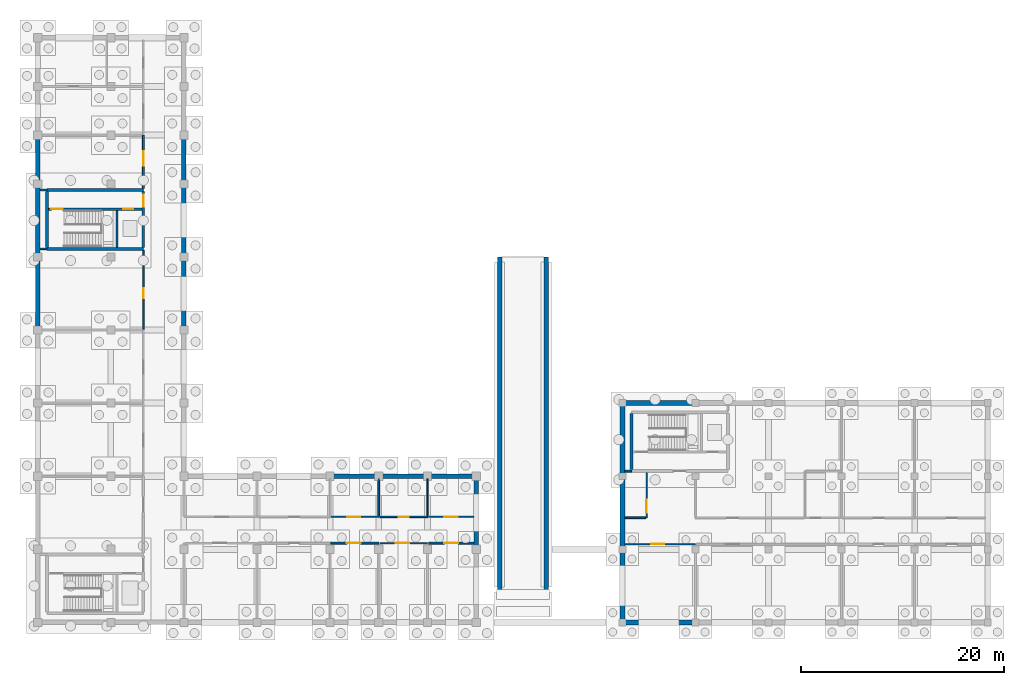
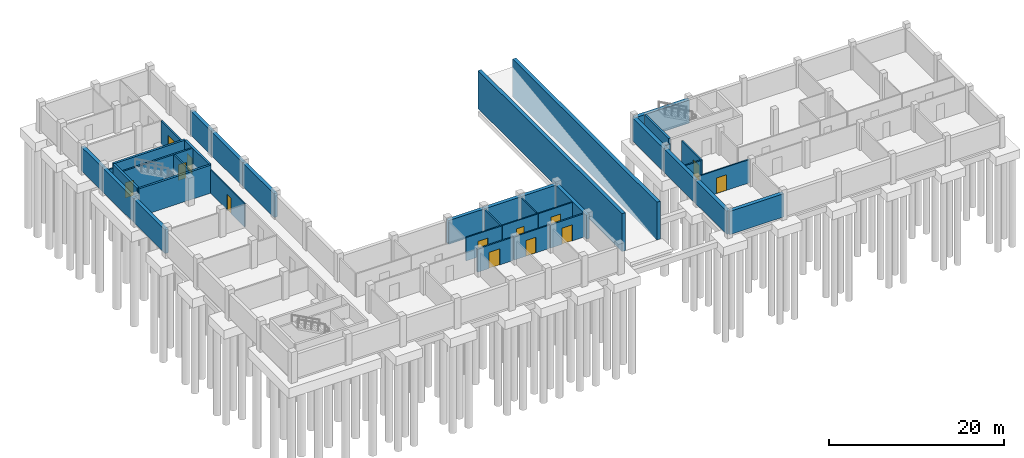
# One storey, part 5 of 10: 40 walls, 13 doors, 13 openings.
"""IFC4 building model written with IfcOpenShell, lengths in metres."""

from ifc_helpers import new_model, si_unit, direction, frame, frame_2d, origin, place, context, subcontext, project, spatial, rectangle, extrude, material, layer, layer_set, type_object, element, fill, save


model = new_model("IFC4")

# Units and contexts
model_context = context("Model", 3, precision=1e-05, world=origin(), true_north=direction((0.0, 1.0)))
body_context = subcontext(model_context, "Body", "Model", "MODEL_VIEW")
ifc_project = project(units=[si_unit("LENGTHUNIT", "METRE"), si_unit("AREAUNIT", "SQUARE_METRE"), si_unit("VOLUMEUNIT", "CUBIC_METRE"), si_unit("PLANEANGLEUNIT", "RADIAN"), si_unit("MASSUNIT", "GRAM", prefix="KILO")], contexts=[model_context])

# Site, building, storey
site_placement = place(None, origin())
site = spatial("IfcSite", under=ifc_project, at=site_placement, CompositionType="ELEMENT")
building_placement = place(site_placement, origin())
building = spatial("IfcBuilding", under=site, at=building_placement, Name="Zornivar Specialist Clinic", CompositionType="ELEMENT")
storey_placement = place(building_placement, frame((0.0, 0.0, -4.199951171875)))
storey = spatial("IfcBuildingStorey", under=building, at=storey_placement, Name="B1", CompositionType="ELEMENT", Elevation=-4.199951171875)

# Walls
ifc_material_1 = material(Name="Acoustic Clinical Stud Partition")
ifc_layer_1 = layer(ifc_material_1, 0.139892578125)
ifc_layer_set_1 = layer_set([ifc_layer_1], Name="Acoustic Clinical Stud Partition")
wall_type_1 = type_object("IfcWallType", Name="IW-CLIN-140", PredefinedType="PARTITIONING", material=ifc_layer_set_1)
wall_1_placement = place(storey_placement, frame((0.239990234375, 36.800048828125, 0.0), z_axis=(0.0, 0.0, 1.0), x_axis=(1.0, 0.0, 0.0)))
element("IfcWall", 1, at=wall_1_placement, inside=storey, type_object=wall_type_1, Name="iw:B1:010", PredefinedType="PARTITIONING", context=body_context, shape_type="SweptSolid", body=[
    extrude(rectangle(XDim=0.659912109375, YDim=0.139892578125, at=frame_2d((0.330078125, 0.0))), origin(), (0.0, 0.0, 1.0), 3.260009765625),
])
wall_2_placement = place(storey_placement, frame((38.39990234375, 14.159912109375, 0.0), z_axis=(0.0, 0.0, 1.0), x_axis=(0.0, -1.0, 0.0)))
element("IfcWall", 2, at=wall_2_placement, inside=storey, type_object=wall_type_1, Name="iw:B1:036", PredefinedType="PARTITIONING", context=body_context, shape_type="SweptSolid", body=[
    extrude(rectangle(XDim=3.666015625, YDim=0.139892578125, at=frame_2d((1.8330078125, 0.0))), origin(), (0.0, 0.0, 1.0), 3.260009765625),
])

# Wall, opening, door
ifc_material_2 = material(Name="Fire-Compartment Shaft-Liner Partition")
ifc_layer_2 = layer(ifc_material_2, 0.179931640625)
ifc_layer_set_2 = layer_set([ifc_layer_2], Name="Fire-Compartment Shaft-Liner Partition")
wall_type_2 = type_object("IfcWallType", Name="IW-COMP-EI90-180", PredefinedType="PARTITIONING", material=ifc_layer_set_2)
wall_3_placement = place(storey_placement, frame((33.60009765625, 10.39990234375, 0.0), z_axis=(0.0, 0.0, 1.0), x_axis=(-1.0, 0.0, 0.0)))
wall_3 = element("IfcWall", 3, at=wall_3_placement, inside=storey, type_object=wall_type_2, Name="iw:B1:031", PredefinedType="PARTITIONING", context=body_context, shape_type="SweptSolid", body=[
    extrude(rectangle(XDim=4.716064453125, YDim=0.179931640625, at=frame_2d((2.35791015625, 0.0))), origin(), (0.0, 0.0, 1.0), 3.260009765625),
])
opening_1_placement = place(wall_3_placement, frame((1.820068359375, 0.0, 0.0)))
opening_1 = element("IfcOpeningElement", 4, at=opening_1_placement, cuts=wall_3, Name="Opening FD-05", PredefinedType="OPENING", context=body_context, shape_type="SweptSolid", body=[
    extrude(rectangle(XDim=1.300048828125, YDim=2.199951171875, at=frame_2d((0.64990234375, 1.10009765625))), frame((0.0, 0.099853515625, 0.0), z_axis=(0.0, -1.0, 0.0), x_axis=(1.0, 0.0, 0.0)), (0.0, 0.0, 1.0), 0.199951171875),
])
ifc_material_3 = material(Name="Solid-Core Hygienic Laminate Timber Door", Category="wood")
door_type_1 = type_object("IfcDoorType", Name="FD-PLANT-1300x2200", OperationType="NOTDEFINED", PredefinedType="DOOR", material=ifc_material_3)
door_1_placement = place(opening_1_placement, origin())
door_1 = element("IfcDoor", 5, at=door_1_placement, inside=storey, type_object=door_type_1, Name="door:space:V2:B1:rm:13", OperationType="SINGLE_SWING_LEFT", OverallHeight=2.199951171875, OverallWidth=1.300048828125, PredefinedType="DOOR", context=body_context, shape_type="SweptSolid", body=[
    extrude(rectangle(XDim=1.300048828125, YDim=2.199951171875, at=frame_2d((0.64990234375, 1.10009765625))), frame((0.0, 0.02490234375, 0.0), z_axis=(0.0, -1.0, 0.0), x_axis=(1.0, 0.0, 0.0)), (0.0, 0.0, 1.0), 0.050048828125),
])
fill(opening_1, door_1)

# Wall
wall_4_placement = place(storey_placement, frame((33.60009765625, 14.159912109375, 0.0), z_axis=(0.0, 0.0, 1.0), x_axis=(0.0, -1.0, 0.0)))
element("IfcWall", 6, at=wall_4_placement, inside=storey, type_object=wall_type_2, Name="iw:B1:032", PredefinedType="PARTITIONING", context=body_context, shape_type="SweptSolid", body=[
    extrude(rectangle(XDim=3.656005859375, YDim=0.179931640625, at=frame_2d((1.828125, 0.0))), origin(), (0.0, 0.0, 1.0), 3.260009765625),
])

# Wall, opening, door
wall_5_placement = place(storey_placement, frame((33.708984375, 7.800048828125, 0.0), z_axis=(0.0, 0.0, 1.0), x_axis=(1.0, 0.0, 0.0)))
wall_5 = element("IfcWall", 7, at=wall_5_placement, inside=storey, type_object=wall_type_2, Name="iw:B1:033", PredefinedType="PARTITIONING", context=body_context, shape_type="SweptSolid", body=[
    extrude(rectangle(XDim=4.69091796875, YDim=0.179931640625, at=frame_2d((2.345458984375, 0.0))), origin(), (0.0, 0.0, 1.0), 3.260009765625),
])
opening_2_placement = place(wall_5_placement, frame((1.5849609375, 0.0, 0.0)))
opening_2 = element("IfcOpeningElement", 8, at=opening_2_placement, cuts=wall_5, Name="Opening FD-05", PredefinedType="OPENING", context=body_context, shape_type="SweptSolid", body=[
    extrude(rectangle(XDim=1.300048828125, YDim=2.199951171875, at=frame_2d((0.64990234375, 1.10009765625))), frame((0.0, 0.099853515625, 0.0), z_axis=(0.0, -1.0, 0.0), x_axis=(1.0, 0.0, 0.0)), (0.0, 0.0, 1.0), 0.199951171875),
])
door_2_placement = place(opening_2_placement, origin())
door_2 = element("IfcDoor", 9, at=door_2_placement, inside=storey, type_object=door_type_1, Name="door:space:V2:B1:rm:14", OperationType="SINGLE_SWING_RIGHT", OverallHeight=2.199951171875, OverallWidth=1.300048828125, PredefinedType="DOOR", context=body_context, shape_type="SweptSolid", body=[
    extrude(rectangle(XDim=1.300048828125, YDim=2.199951171875, at=frame_2d((0.64990234375, 1.10009765625))), frame((0.0, 0.02490234375, 0.0), z_axis=(0.0, -1.0, 0.0), x_axis=(1.0, 0.0, 0.0)), (0.0, 0.0, 1.0), 0.050048828125),
])
fill(opening_2, door_2)

wall_6_placement = place(storey_placement, frame((42.9599609375, 10.39990234375, 0.0), z_axis=(0.0, 0.0, 1.0), x_axis=(-1.0, 0.0, 0.0)))
wall_6 = element("IfcWall", 10, at=wall_6_placement, inside=storey, type_object=wall_type_2, Name="iw:B1:038", PredefinedType="PARTITIONING", context=body_context, shape_type="SweptSolid", body=[
    extrude(rectangle(XDim=4.47607421875, YDim=0.179931640625, at=frame_2d((2.238037109375, 0.0))), origin(), (0.0, 0.0, 1.0), 3.260009765625),
])
opening_3_placement = place(wall_6_placement, frame((1.587890625, 0.0, 0.0)))
opening_3 = element("IfcOpeningElement", 11, at=opening_3_placement, cuts=wall_6, Name="Opening FD-05", PredefinedType="OPENING", context=body_context, shape_type="SweptSolid", body=[
    extrude(rectangle(XDim=1.300048828125, YDim=2.199951171875, at=frame_2d((0.64990234375, 1.10009765625))), frame((0.0, 0.099853515625, 0.0), z_axis=(0.0, -1.0, 0.0), x_axis=(1.0, 0.0, 0.0)), (0.0, 0.0, 1.0), 0.199951171875),
])
door_3_placement = place(opening_3_placement, origin())
door_3 = element("IfcDoor", 12, at=door_3_placement, inside=storey, type_object=door_type_1, Name="door:space:V2:B1:rm:17", OperationType="SINGLE_SWING_LEFT", OverallHeight=2.199951171875, OverallWidth=1.300048828125, PredefinedType="DOOR", context=body_context, shape_type="SweptSolid", body=[
    extrude(rectangle(XDim=1.300048828125, YDim=2.199951171875, at=frame_2d((0.64990234375, 1.10009765625))), frame((0.0, 0.02490234375, 0.0), z_axis=(0.0, -1.0, 0.0), x_axis=(1.0, 0.0, 0.0)), (0.0, 0.0, 1.0), 0.050048828125),
])
fill(opening_3, door_3)

wall_7_placement = place(storey_placement, frame((57.85498046875, 7.699951171875, 0.0), z_axis=(0.0, 0.0, 1.0), x_axis=(1.0, 0.0, 0.0)))
wall_7 = element("IfcWall", 13, at=wall_7_placement, inside=storey, type_object=wall_type_2, Name="iw:B1:039", PredefinedType="PARTITIONING", context=body_context, shape_type="SweptSolid", body=[
    extrude(rectangle(XDim=6.945068359375, YDim=0.179931640625, at=frame_2d((3.47265625, 0.0))), origin(), (0.0, 0.0, 1.0), 3.260009765625),
])
opening_4_placement = place(wall_7_placement, frame((2.587890625, 0.0, 0.0)))
opening_4 = element("IfcOpeningElement", 14, at=opening_4_placement, cuts=wall_7, Name="Opening FD-05", PredefinedType="OPENING", context=body_context, shape_type="SweptSolid", body=[
    extrude(rectangle(XDim=1.300048828125, YDim=2.199951171875, at=frame_2d((0.64990234375, 1.10009765625))), frame((0.0, 0.099853515625, 0.0), z_axis=(0.0, -1.0, 0.0), x_axis=(1.0, 0.0, 0.0)), (0.0, 0.0, 1.0), 0.199951171875),
])
door_4_placement = place(opening_4_placement, origin())
door_4 = element("IfcDoor", 15, at=door_4_placement, inside=storey, type_object=door_type_1, Name="door:space:V3:B1:rm:00", OperationType="SINGLE_SWING_RIGHT", OverallHeight=2.199951171875, OverallWidth=1.300048828125, PredefinedType="DOOR", context=body_context, shape_type="SweptSolid", body=[
    extrude(rectangle(XDim=1.300048828125, YDim=2.199951171875, at=frame_2d((0.64990234375, 1.10009765625))), frame((0.0, 0.02490234375, 0.0), z_axis=(0.0, -1.0, 0.0), x_axis=(1.0, 0.0, 0.0)), (0.0, 0.0, 1.0), 0.050048828125),
])
fill(opening_4, door_4)

# Wall
wall_8_placement = place(storey_placement, frame((57.85498046875, 14.89990234375, 0.0), z_axis=(0.0, 0.0, 1.0), x_axis=(1.0, 0.0, 0.0)))
element("IfcWall", 16, at=wall_8_placement, inside=storey, type_object=wall_type_2, Name="iw:B1:041", PredefinedType="PARTITIONING", context=body_context, shape_type="SweptSolid", body=[
    extrude(rectangle(XDim=0.64501953125, YDim=0.179931640625, at=frame_2d((0.322509765625, 0.0))), origin(), (0.0, 0.0, 1.0), 3.260009765625),
])

# Wall, opening, door
wall_9_placement = place(storey_placement, frame((60.0, 14.7451171875, 0.0), z_axis=(0.0, 0.0, 1.0), x_axis=(0.0, -1.0, 0.0)))
wall_9 = element("IfcWall", 17, at=wall_9_placement, inside=storey, type_object=wall_type_2, Name="iw:B1:042", PredefinedType="PARTITIONING", context=body_context, shape_type="SweptSolid", body=[
    extrude(rectangle(XDim=4.445068359375, YDim=0.179931640625, at=frame_2d((2.22265625, 0.0))), origin(), (0.0, 0.0, 1.0), 3.260009765625),
])
opening_5_placement = place(wall_9_placement, frame((2.6650390625, 0.0, 0.0)))
opening_5 = element("IfcOpeningElement", 18, at=opening_5_placement, cuts=wall_9, Name="Opening FD-05", PredefinedType="OPENING", context=body_context, shape_type="SweptSolid", body=[
    extrude(rectangle(XDim=1.300048828125, YDim=2.199951171875, at=frame_2d((0.64990234375, 1.10009765625))), frame((0.0, 0.099853515625, 0.0), z_axis=(0.0, -1.0, 0.0), x_axis=(1.0, 0.0, 0.0)), (0.0, 0.0, 1.0), 0.199951171875),
])
door_5_placement = place(opening_5_placement, origin())
door_5 = element("IfcDoor", 19, at=door_5_placement, inside=storey, type_object=door_type_1, Name="door:space:V3:B1:rm:01", OperationType="SINGLE_SWING_LEFT", OverallHeight=2.199951171875, OverallWidth=1.300048828125, PredefinedType="DOOR", context=body_context, shape_type="SweptSolid", body=[
    extrude(rectangle(XDim=1.300048828125, YDim=2.199951171875, at=frame_2d((0.64990234375, 1.10009765625))), frame((0.0, 0.02490234375, 0.0), z_axis=(0.0, -1.0, 0.0), x_axis=(1.0, 0.0, 0.0)), (0.0, 0.0, 1.0), 0.050048828125),
])
fill(opening_5, door_5)

# Wall
wall_10_placement = place(storey_placement, frame((59.89599609375, 10.300048828125, 0.0), z_axis=(0.0, 0.0, 1.0), x_axis=(-1.0, 0.0, 0.0)))
element("IfcWall", 20, at=wall_10_placement, inside=storey, type_object=wall_type_2, Name="iw:B1:043", PredefinedType="PARTITIONING", context=body_context, shape_type="SweptSolid", body=[
    extrude(rectangle(XDim=2.041015625, YDim=0.179931640625, at=frame_2d((1.0205078125, 0.0))), origin(), (0.0, 0.0, 1.0), 3.260009765625),
])

# Wall, opening, door
ifc_material_4 = material(Name="Gypsum Fire-Rated Double Stud Partition")
ifc_layer_3 = layer(ifc_material_4, 0.159912109375)
ifc_layer_set_3 = layer_set([ifc_layer_3], Name="Gypsum Fire-Rated Double Stud Partition")
wall_type_3 = type_object("IfcWallType", Name="IW-CORR-EI60-160", PredefinedType="PARTITIONING", material=ifc_layer_set_3)
wall_11_placement = place(storey_placement, frame((10.39990234375, 36.64501953125, 0.0), z_axis=(0.0, 0.0, 1.0), x_axis=(0.0, -1.0, 0.0)))
wall_11 = element("IfcWall", 21, at=wall_11_placement, inside=storey, type_object=wall_type_3, Name="iw:B1:009", PredefinedType="PARTITIONING", context=body_context, shape_type="SweptSolid", body=[
    extrude(rectangle(XDim=7.740966796875, YDim=0.159912109375, at=frame_2d((3.87060546875, 0.0))), origin(), (0.0, 0.0, 1.0), 3.260009765625),
])
opening_6_placement = place(wall_11_placement, frame((3.72900390625, 0.0, 0.0)))
opening_6 = element("IfcOpeningElement", 22, at=opening_6_placement, cuts=wall_11, Name="Opening ID-09", PredefinedType="OPENING", context=body_context, shape_type="SweptSolid", body=[
    extrude(rectangle(XDim=0.97998046875, YDim=2.14990234375, at=frame_2d((0.489990234375, 1.074951171875))), frame((0.0, 0.08984375, 0.0), z_axis=(0.0, -1.0, 0.0), x_axis=(1.0, 0.0, 0.0)), (0.0, 0.0, 1.0), 0.179931640625),
])
ifc_material_5 = material(Name="Solid-Core Hygienic Laminate Timber Door", Category="wood")
door_type_2 = type_object("IfcDoorType", Name="ID-STAFF-0980x2150", OperationType="NOTDEFINED", PredefinedType="DOOR", material=ifc_material_5)
door_6_placement = place(opening_6_placement, origin())
door_6 = element("IfcDoor", 23, at=door_6_placement, inside=storey, type_object=door_type_2, Name="door:space:V2:B1:rm:03", OperationType="SINGLE_SWING_LEFT", OverallHeight=2.14990234375, OverallWidth=0.97998046875, PredefinedType="DOOR", context=body_context, shape_type="SweptSolid", body=[
    extrude(rectangle(XDim=0.97998046875, YDim=2.14990234375, at=frame_2d((0.489990234375, 1.074951171875))), frame((0.0, 0.02490234375, 0.0), z_axis=(0.0, -1.0, 0.0), x_axis=(1.0, 0.0, 0.0)), (0.0, 0.0, 1.0), 0.050048828125),
])
fill(opening_6, door_6)

wall_12_placement = place(storey_placement, frame((38.39990234375, 10.39990234375, 0.0), z_axis=(0.0, 0.0, 1.0), x_axis=(-1.0, 0.0, 0.0)))
wall_12 = element("IfcWall", 24, at=wall_12_placement, inside=storey, type_object=wall_type_3, Name="iw:B1:035", PredefinedType="PARTITIONING", context=body_context, shape_type="SweptSolid", body=[
    extrude(rectangle(XDim=4.69580078125, YDim=0.159912109375, at=frame_2d((2.347900390625, 0.0))), origin(), (0.0, 0.0, 1.0), 3.260009765625),
])
opening_7_placement = place(wall_12_placement, frame((1.85791015625, 0.0, 0.0)))
opening_7 = element("IfcOpeningElement", 25, at=opening_7_placement, cuts=wall_12, Name="Opening ID-09", PredefinedType="OPENING", context=body_context, shape_type="SweptSolid", body=[
    extrude(rectangle(XDim=0.97998046875, YDim=2.14990234375, at=frame_2d((0.489990234375, 1.074951171875))), frame((0.0, 0.08984375, 0.0), z_axis=(0.0, -1.0, 0.0), x_axis=(1.0, 0.0, 0.0)), (0.0, 0.0, 1.0), 0.179931640625),
])
door_7_placement = place(opening_7_placement, origin())
door_7 = element("IfcDoor", 26, at=door_7_placement, inside=storey, type_object=door_type_2, Name="door:space:V2:B1:rm:15", OperationType="SINGLE_SWING_LEFT", OverallHeight=2.14990234375, OverallWidth=0.97998046875, PredefinedType="DOOR", context=body_context, shape_type="SweptSolid", body=[
    extrude(rectangle(XDim=0.97998046875, YDim=2.14990234375, at=frame_2d((0.489990234375, 1.074951171875))), frame((0.0, 0.02490234375, 0.0), z_axis=(0.0, -1.0, 0.0), x_axis=(1.0, 0.0, 0.0)), (0.0, 0.0, 1.0), 0.050048828125),
])
fill(opening_7, door_7)

ifc_material_6 = material(Name="GMP Cleanroom Insulated Double Partition")
ifc_layer_4 = layer(ifc_material_6, 0.18994140625)
ifc_layer_set_4 = layer_set([ifc_layer_4], Name="GMP Cleanroom Insulated Double Partition")
wall_type_4 = type_object("IfcWallType", Name="IW-PHARM-GMP-190", PredefinedType="PARTITIONING", material=ifc_layer_set_4)
wall_13_placement = place(storey_placement, frame((10.39990234375, 48.0, 0.0), z_axis=(0.0, 0.0, 1.0), x_axis=(0.0, -1.0, 0.0)))
wall_13 = element("IfcWall", 27, at=wall_13_placement, inside=storey, type_object=wall_type_4, Name="iw:B1:011", PredefinedType="PARTITIONING", context=body_context, shape_type="SweptSolid", body=[
    extrude(rectangle(XDim=5.2451171875, YDim=0.18994140625, at=frame_2d((2.62255859375, 0.0))), origin(), (0.0, 0.0, 1.0), 3.260009765625),
])
opening_8_placement = place(wall_13_placement, frame((1.590087890625, 0.0, 0.0)))
opening_8 = element("IfcOpeningElement", 28, at=opening_8_placement, cuts=wall_13, Name="Opening FD-04", PredefinedType="OPENING", context=body_context, shape_type="SweptSolid", body=[
    extrude(rectangle(XDim=1.39990234375, YDim=2.25, at=frame_2d((0.699951171875, 1.125))), frame((0.0, 0.10498046875, 0.0), z_axis=(0.0, -1.0, 0.0), x_axis=(1.0, 0.0, 0.0)), (0.0, 0.0, 1.0), 0.2099609375),
])
ifc_material_7 = material(Name="Solid-Core Hygienic Laminate Timber Door", Category="wood")
door_type_3 = type_object("IfcDoorType", Name="FD-STERILE-1400x2250", OperationType="NOTDEFINED", PredefinedType="DOOR", material=ifc_material_7)
door_8_placement = place(opening_8_placement, origin())
door_8 = element("IfcDoor", 29, at=door_8_placement, inside=storey, type_object=door_type_3, Name="door:space:V2:B1:rm:04", OperationType="DOUBLE_DOOR_SINGLE_SWING", OverallHeight=2.25, OverallWidth=1.39990234375, PredefinedType="DOOR", context=body_context, shape_type="SweptSolid", body=[
    extrude(rectangle(XDim=1.39990234375, YDim=2.25, at=frame_2d((0.699951171875, 1.125))), frame((0.0, 0.02490234375, 0.0), z_axis=(0.0, -1.0, 0.0), x_axis=(1.0, 0.0, 0.0)), (0.0, 0.0, 1.0), 0.050048828125),
])
fill(opening_8, door_8)

# Wall
wall_14_placement = place(storey_placement, frame((0.89990234375, 42.60009765625, 0.0), z_axis=(0.0, 0.0, 1.0), x_axis=(-1.0, 0.0, 0.0)))
element("IfcWall", 30, at=wall_14_placement, inside=storey, type_object=wall_type_4, Name="iw:B1:012", PredefinedType="PARTITIONING", context=body_context, shape_type="SweptSolid", body=[
    extrude(rectangle(XDim=0.659912109375, YDim=0.18994140625, at=frame_2d((0.330078125, 0.0))), origin(), (0.0, 0.0, 1.0), 3.260009765625),
])

# Wall, opening, door
wall_15_placement = place(storey_placement, frame((28.884033203125, 7.800048828125, 0.0), z_axis=(0.0, 0.0, 1.0), x_axis=(1.0, 0.0, 0.0)))
wall_15 = element("IfcWall", 31, at=wall_15_placement, inside=storey, type_object=wall_type_4, Name="iw:B1:029", PredefinedType="PARTITIONING", context=body_context, shape_type="SweptSolid", body=[
    extrude(rectangle(XDim=4.716064453125, YDim=0.18994140625, at=frame_2d((2.35791015625, 0.0))), origin(), (0.0, 0.0, 1.0), 3.260009765625),
])
opening_9_placement = place(wall_15_placement, frame((1.551025390625, 0.0, 0.0)))
opening_9 = element("IfcOpeningElement", 32, at=opening_9_placement, cuts=wall_15, Name="Opening FD-04", PredefinedType="OPENING", context=body_context, shape_type="SweptSolid", body=[
    extrude(rectangle(XDim=1.39990234375, YDim=2.25, at=frame_2d((0.699951171875, 1.125))), frame((0.0, 0.10498046875, 0.0), z_axis=(0.0, -1.0, 0.0), x_axis=(1.0, 0.0, 0.0)), (0.0, 0.0, 1.0), 0.2099609375),
])
door_9_placement = place(opening_9_placement, origin())
door_9 = element("IfcDoor", 33, at=door_9_placement, inside=storey, type_object=door_type_3, Name="door:space:V2:B1:rm:12", OperationType="DOUBLE_DOOR_SINGLE_SWING", OverallHeight=2.25, OverallWidth=1.39990234375, PredefinedType="DOOR", context=body_context, shape_type="SweptSolid", body=[
    extrude(rectangle(XDim=1.39990234375, YDim=2.25, at=frame_2d((0.699951171875, 1.125))), frame((0.0, 0.02490234375, 0.0), z_axis=(0.0, -1.0, 0.0), x_axis=(1.0, 0.0, 0.0)), (0.0, 0.0, 1.0), 0.050048828125),
])
fill(opening_9, door_9)

wall_16_placement = place(storey_placement, frame((38.50390625, 7.800048828125, 0.0), z_axis=(0.0, 0.0, 1.0), x_axis=(1.0, 0.0, 0.0)))
wall_16 = element("IfcWall", 34, at=wall_16_placement, inside=storey, type_object=wall_type_4, Name="iw:B1:037", PredefinedType="PARTITIONING", context=body_context, shape_type="SweptSolid", body=[
    extrude(rectangle(XDim=4.4560546875, YDim=0.18994140625, at=frame_2d((2.22802734375, 0.0))), origin(), (0.0, 0.0, 1.0), 3.260009765625),
])
opening_10_placement = place(wall_16_placement, frame((1.528076171875, 0.0, 0.0)))
opening_10 = element("IfcOpeningElement", 35, at=opening_10_placement, cuts=wall_16, Name="Opening FD-04", PredefinedType="OPENING", context=body_context, shape_type="SweptSolid", body=[
    extrude(rectangle(XDim=1.39990234375, YDim=2.25, at=frame_2d((0.699951171875, 1.125))), frame((0.0, 0.10498046875, 0.0), z_axis=(0.0, -1.0, 0.0), x_axis=(1.0, 0.0, 0.0)), (0.0, 0.0, 1.0), 0.2099609375),
])
door_10_placement = place(opening_10_placement, origin())
door_10 = element("IfcDoor", 36, at=door_10_placement, inside=storey, type_object=door_type_3, Name="door:space:V2:B1:rm:16", OperationType="DOUBLE_DOOR_SINGLE_SWING", OverallHeight=2.25, OverallWidth=1.39990234375, PredefinedType="DOOR", context=body_context, shape_type="SweptSolid", body=[
    extrude(rectangle(XDim=1.39990234375, YDim=2.25, at=frame_2d((0.699951171875, 1.125))), frame((0.0, 0.02490234375, 0.0), z_axis=(0.0, -1.0, 0.0), x_axis=(1.0, 0.0, 0.0)), (0.0, 0.0, 1.0), 0.050048828125),
])
fill(opening_10, door_10)

# Walls
ifc_material_8 = material(Name="Concrete C35/45 Waterproofed Basement Retaining Wall", Category="concrete")
ifc_layer_5 = layer(ifc_material_8, 0.449951171875)
ifc_layer_set_5 = layer_set([ifc_layer_5], Name="Concrete C35/45 Waterproofed Basement Retaining Wall")
wall_type_5 = type_object("IfcWallType", Name="RW-B1-RETAIN-450", PredefinedType="ELEMENTEDWALL", material=ifc_layer_set_5)
wall_17_placement = place(storey_placement, frame((43.199951171875, 7.199951171875, 0.0), z_axis=(0.0, 0.0, 1.0), x_axis=(0.0, 1.0, 0.0)))
element("IfcWall", 37, at=wall_17_placement, inside=storey, type_object=wall_type_5, Name="rw:V2:B1:08", PredefinedType="ELEMENTEDWALL", context=body_context, shape_type="SweptSolid", body=[
    extrude(rectangle(XDim=7.199951171875, YDim=0.449951171875, at=frame_2d((3.60009765625, 0.0))), origin(), (0.0, 0.0, 1.0), 3.320068359375),
])
wall_18_placement = place(storey_placement, frame((43.199951171875, 14.39990234375, 0.0), z_axis=(0.0, 0.0, 1.0), x_axis=(-1.0, 0.0, 0.0)))
element("IfcWall", 38, at=wall_18_placement, inside=storey, type_object=wall_type_5, Name="rw:V2:B1:09", PredefinedType="ELEMENTEDWALL", context=body_context, shape_type="SweptSolid", body=[
    extrude(rectangle(XDim=4.800048828125, YDim=0.449951171875, at=frame_2d((2.39990234375, 0.0))), origin(), (0.0, 0.0, 1.0), 3.320068359375),
])
wall_19_placement = place(storey_placement, frame((38.39990234375, 14.39990234375, 0.0), z_axis=(0.0, 0.0, 1.0), x_axis=(-1.0, 0.0, 0.0)))
element("IfcWall", 39, at=wall_19_placement, inside=storey, type_object=wall_type_5, Name="rw:V2:B1:10", PredefinedType="ELEMENTEDWALL", context=body_context, shape_type="SweptSolid", body=[
    extrude(rectangle(XDim=4.7998046875, YDim=0.449951171875, at=frame_2d((2.39990234375, 0.0))), origin(), (0.0, 0.0, 1.0), 3.320068359375),
])
wall_20_placement = place(storey_placement, frame((33.60009765625, 14.39990234375, 0.0), z_axis=(0.0, 0.0, 1.0), x_axis=(-1.0, 0.0, 0.0)))
element("IfcWall", 40, at=wall_20_placement, inside=storey, type_object=wall_type_5, Name="rw:V2:B1:11", PredefinedType="ELEMENTEDWALL", context=body_context, shape_type="SweptSolid", body=[
    extrude(rectangle(XDim=4.800048828125, YDim=0.449951171875, at=frame_2d((2.39990234375, 0.0))), origin(), (0.0, 0.0, 1.0), 3.320068359375),
])
for number, where, z_axis, x_axis, name in (
    (41, (14.39990234375, 28.800048828125, 0.0), (0.0, 0.0, 1.0), (0.0, 1.0, 0.0), "rw:V2:B1:16"),
    (42, (14.39990234375, 36.0, 0.0), (0.0, 0.0, 1.0), (0.0, 1.0, 0.0), "rw:V2:B1:17"),
):
    element("IfcWall", number, at=place(storey_placement, frame(where, z_axis=z_axis, x_axis=x_axis)), inside=storey, type_object=wall_type_5, Name=name, PredefinedType="ELEMENTEDWALL", context=body_context, shape_type="SweptSolid", body=[
        extrude(rectangle(XDim=7.199951171875, YDim=0.449951171875, at=frame_2d((3.60009765625, 0.0))), origin(), (0.0, 0.0, 1.0), 3.320068359375),
    ])
for number, where, z_axis, x_axis, name in (
    (43, (14.39990234375, 43.199951171875, 0.0), (0.0, 0.0, 1.0), (0.0, 1.0, 0.0), "rw:V2:B1:18"),
    (44, (0.0, 48.0, 0.0), (0.0, 0.0, 1.0), (0.0, -1.0, 0.0), "rw:V2:B1:25"),
):
    element("IfcWall", number, at=place(storey_placement, frame(where, z_axis=z_axis, x_axis=x_axis)), inside=storey, type_object=wall_type_5, Name=name, PredefinedType="ELEMENTEDWALL", context=body_context, shape_type="SweptSolid", body=[
        extrude(rectangle(XDim=4.800048828125, YDim=0.449951171875, at=frame_2d((2.39990234375, 0.0))), origin(), (0.0, 0.0, 1.0), 3.320068359375),
    ])
for number, where, z_axis, x_axis, name in (
    (45, (0.0, 43.199951171875, 0.0), (0.0, 0.0, 1.0), (0.0, -1.0, 0.0), "rw:V2:B1:26"),
    (46, (0.0, 36.0, 0.0), (0.0, 0.0, 1.0), (0.0, -1.0, 0.0), "rw:V2:B1:27"),
):
    element("IfcWall", number, at=place(storey_placement, frame(where, z_axis=z_axis, x_axis=x_axis)), inside=storey, type_object=wall_type_5, Name=name, PredefinedType="ELEMENTEDWALL", context=body_context, shape_type="SweptSolid", body=[
        extrude(rectangle(XDim=7.199951171875, YDim=0.449951171875, at=frame_2d((3.60009765625, 0.0))), origin(), (0.0, 0.0, 1.0), 3.320068359375),
    ])
for number, where, z_axis, x_axis, name in (
    (47, (45.5, 3.0, 0.0), (0.0, 0.0, 1.0), (0.0, 1.0, 0.0), "rw:ramp:B1:W"),
    (48, (50.10009765625, 3.0, 0.0), (0.0, 0.0, 1.0), (0.0, 1.0, 0.0), "rw:ramp:B1:E"),
):
    element("IfcWall", number, at=place(storey_placement, frame(where, z_axis=z_axis, x_axis=x_axis)), inside=storey, type_object=wall_type_5, Name=name, PredefinedType="ELEMENTEDWALL", context=body_context, shape_type="SweptSolid", body=[
        extrude(rectangle(XDim=33.0, YDim=0.449951171875, at=frame_2d((16.5, 0.0))), origin(), (0.0, 0.0, 1.0), 5.300048828125),
    ])
ifc_material_9 = material(Name="Concrete C35/45 Heavy Imaging Basement Wall", Category="concrete")
ifc_layer_6 = layer(ifc_material_9, 0.47998046875)
ifc_layer_set_6 = layer_set([ifc_layer_6], Name="Concrete C35/45 Heavy Imaging Basement Wall")
wall_type_6 = type_object("IfcWallType", Name="RW-B1-RETAIN-480", PredefinedType="ELEMENTEDWALL", material=ifc_layer_set_6)
for number, where, z_axis, x_axis, name in (
    (49, (57.60009765625, 0.0, 0.0), (0.0, 0.0, 1.0), (1.0, 0.0, 0.0), "rw:V3:B1:00"),
    (50, (64.800048828125, 21.60009765625, 0.0), (0.0, 0.0, 1.0), (-1.0, 0.0, 0.0), "rw:V3:B1:12"),
):
    element("IfcWall", number, at=place(storey_placement, frame(where, z_axis=z_axis, x_axis=x_axis)), inside=storey, type_object=wall_type_6, Name=name, PredefinedType="ELEMENTEDWALL", context=body_context, shape_type="SweptSolid", body=[
        extrude(rectangle(XDim=7.199951171875, YDim=0.47998046875, at=frame_2d((3.60009765625, 0.0))), origin(), (0.0, 0.0, 1.0), 3.25),
    ])
wall_21_placement = place(storey_placement, frame((57.60009765625, 21.60009765625, 0.0), z_axis=(0.0, 0.0, 1.0), x_axis=(0.0, -1.0, 0.0)))
element("IfcWall", 51, at=wall_21_placement, inside=storey, type_object=wall_type_6, Name="rw:V3:B1:13", PredefinedType="ELEMENTEDWALL", context=body_context, shape_type="SweptSolid", body=[
    extrude(rectangle(XDim=7.2001953125, YDim=0.47998046875, at=frame_2d((3.60009765625, 0.0))), origin(), (0.0, 0.0, 1.0), 3.25),
])
for number, where, z_axis, x_axis, name in (
    (52, (57.60009765625, 14.39990234375, 0.0), (0.0, 0.0, 1.0), (0.0, -1.0, 0.0), "rw:V3:B1:14"),
    (53, (57.60009765625, 7.199951171875, 0.0), (0.0, 0.0, 1.0), (0.0, -1.0, 0.0), "rw:V3:B1:15"),
):
    element("IfcWall", number, at=place(storey_placement, frame(where, z_axis=z_axis, x_axis=x_axis)), inside=storey, type_object=wall_type_6, Name=name, PredefinedType="ELEMENTEDWALL", context=body_context, shape_type="SweptSolid", body=[
        extrude(rectangle(XDim=7.199951171875, YDim=0.47998046875, at=frame_2d((3.60009765625, 0.0))), origin(), (0.0, 0.0, 1.0), 3.25),
    ])
ifc_material_10 = material(Name="Concrete C35/45", Category="concrete")
ifc_layer_7 = layer(ifc_material_10, 0.280029296875)
ifc_layer_set_7 = layer_set([ifc_layer_7], Name="Concrete C35/45")
wall_type_7 = type_object("IfcWallType", Name="SW-CORE-280", PredefinedType="SHEAR", material=ifc_layer_set_7)
wall_22_placement = place(storey_placement, frame((0.89990234375, 36.800048828125, 0.0), z_axis=(0.0, 0.0, 1.0), x_axis=(1.0, 0.0, 0.0)))
element("IfcWall", 54, at=wall_22_placement, inside=storey, type_object=wall_type_7, Name="sw:C2:B1:w0", PredefinedType="SHEAR", context=body_context, shape_type="SweptSolid", body=[
    extrude(rectangle(XDim=9.5, YDim=0.280029296875, at=frame_2d((4.75, 0.0))), origin(), (0.0, 0.0, 1.0), 3.89990234375),
])

# Wall, opening, door
wall_23_placement = place(storey_placement, frame((10.39990234375, 36.93994140625, 0.0), z_axis=(0.0, 0.0, 1.0), x_axis=(0.0, 1.0, 0.0)))
wall_23 = element("IfcWall", 55, at=wall_23_placement, inside=storey, type_object=wall_type_7, Name="sw:C2:B1:w1", PredefinedType="SHEAR", context=body_context, shape_type="SweptSolid", body=[
    extrude(rectangle(XDim=5.52001953125, YDim=0.280029296875, at=frame_2d((2.760009765625, 0.0))), origin(), (0.0, 0.0, 1.0), 3.89990234375),
])
opening_11_placement = place(wall_23_placement, frame((4.0, 0.0, 0.0)))
opening_11 = element("IfcOpeningElement", 56, at=opening_11_placement, cuts=wall_23, Name="Opening FD-01", PredefinedType="OPENING", context=body_context, shape_type="SweptSolid", body=[
    extrude(rectangle(XDim=1.199951171875, YDim=2.25, at=frame_2d((0.60009765625, 1.125))), frame((0.0, 0.14990234375, 0.0), z_axis=(0.0, -1.0, 0.0), x_axis=(1.0, 0.0, 0.0)), (0.0, 0.0, 1.0), 0.300048828125),
])
ifc_material_11 = material(Name="Solid-Core Hygienic Laminate Timber Door", Category="wood")
door_type_4 = type_object("IfcDoorType", Name="FD-LOBBY-MAIN-1200x2250", OperationType="NOTDEFINED", PredefinedType="DOOR", material=ifc_material_11)
door_11_placement = place(opening_11_placement, origin())
door_11 = element("IfcDoor", 57, at=door_11_placement, inside=storey, type_object=door_type_4, Name="door:C2:B1:lob", OperationType="SINGLE_SWING_RIGHT", OverallHeight=2.25, OverallWidth=1.199951171875, PredefinedType="DOOR", context=body_context, shape_type="SweptSolid", body=[
    extrude(rectangle(XDim=1.199951171875, YDim=2.25, at=frame_2d((0.60009765625, 1.125))), frame((0.0, 0.02490234375, 0.0), z_axis=(0.0, -1.0, 0.0), x_axis=(1.0, 0.0, 0.0)), (0.0, 0.0, 1.0), 0.050048828125),
])
fill(opening_11, door_11)

# Walls
wall_24_placement = place(storey_placement, frame((10.39990234375, 42.60009765625, 0.0), z_axis=(0.0, 0.0, 1.0), x_axis=(-1.0, 0.0, 0.0)))
element("IfcWall", 58, at=wall_24_placement, inside=storey, type_object=wall_type_7, Name="sw:C2:B1:w2", PredefinedType="SHEAR", context=body_context, shape_type="SweptSolid", body=[
    extrude(rectangle(XDim=9.5, YDim=0.280029296875, at=frame_2d((4.75, 0.0))), origin(), (0.0, 0.0, 1.0), 3.89990234375),
])
for number, where, z_axis, x_axis, name in (
    (59, (0.89990234375, 42.4599609375, 0.0), (0.0, 0.0, 1.0), (0.0, -1.0, 0.0), "sw:C2:B1:w3"),
    (60, (58.5, 20.56005859375, 0.0), (0.0, 0.0, 1.0), (0.0, -1.0, 0.0), "sw:C5:B1:w3"),
):
    element("IfcWall", number, at=place(storey_placement, frame(where, z_axis=z_axis, x_axis=x_axis)), inside=storey, type_object=wall_type_7, Name=name, PredefinedType="SHEAR", context=body_context, shape_type="SweptSolid", body=[
        extrude(rectangle(XDim=5.52001953125, YDim=0.280029296875, at=frame_2d((2.760009765625, 0.0))), origin(), (0.0, 0.0, 1.0), 3.89990234375),
    ])
ifc_material_12 = material(Name="Concrete C30/37", Category="concrete")
ifc_layer_8 = layer(ifc_material_12, 0.199951171875)
ifc_layer_set_8 = layer_set([ifc_layer_8], Name="Concrete C30/37")
wall_type_8 = type_object("IfcWallType", Name="SW-LIFT-200", PredefinedType="SHEAR", material=ifc_layer_set_8)
wall_25_placement = place(storey_placement, frame((7.800048828125, 36.93994140625, 0.0), z_axis=(0.0, 0.0, 1.0), x_axis=(0.0, 1.0, 0.0)))
element("IfcWall", 61, at=wall_25_placement, inside=storey, type_object=wall_type_8, Name="sw:C2:B1:sdiv", PredefinedType="SHEAR", context=body_context, shape_type="SweptSolid", body=[
    extrude(rectangle(XDim=3.66015625, YDim=0.199951171875, at=frame_2d((1.830078125, 0.0))), origin(), (0.0, 0.0, 1.0), 3.89990234375),
])

# Wall, openings, doors
ifc_material_13 = material(Name="Concrete C30/37", Category="concrete")
ifc_layer_9 = layer(ifc_material_13, 0.219970703125)
ifc_layer_set_9 = layer_set([ifc_layer_9], Name="Concrete C30/37")
wall_type_9 = type_object("IfcWallType", Name="SW-SHAFT-220", PredefinedType="SHEAR", material=ifc_layer_set_9)
wall_26_placement = place(storey_placement, frame((1.0400390625, 40.7099609375, 0.0), z_axis=(0.0, 0.0, 1.0), x_axis=(1.0, 0.0, 0.0)))
wall_26 = element("IfcWall", 62, at=wall_26_placement, inside=storey, type_object=wall_type_9, Name="sw:C2:B1:stwall", PredefinedType="SHEAR", context=body_context, shape_type="SweptSolid", body=[
    extrude(rectangle(XDim=9.219970703125, YDim=0.219970703125, at=frame_2d((4.60986328125, 0.0))), origin(), (0.0, 0.0, 1.0), 3.89990234375),
])
opening_12_placement = place(wall_26_placement, frame((0.31005859375, 0.0, 0.0)))
opening_12 = element("IfcOpeningElement", 63, at=opening_12_placement, cuts=wall_26, Name="Opening FD-02", PredefinedType="OPENING", context=body_context, shape_type="SweptSolid", body=[
    extrude(rectangle(XDim=1.10009765625, YDim=2.14990234375, at=frame_2d((0.550048828125, 1.074951171875))), frame((0.0, 0.119873046875, 0.0), z_axis=(0.0, -1.0, 0.0), x_axis=(1.0, 0.0, 0.0)), (0.0, 0.0, 1.0), 0.239990234375),
])
opening_13_placement = place(wall_26_placement, frame((7.360107421875, 0.0, 0.0)))
opening_13 = element("IfcOpeningElement", 64, at=opening_13_placement, cuts=wall_26, Name="Opening LD-02", PredefinedType="OPENING", context=body_context, shape_type="SweptSolid", body=[
    extrude(rectangle(XDim=1.0, YDim=2.199951171875, at=frame_2d((0.5, 1.10009765625))), frame((0.0, 0.119873046875, 0.0), z_axis=(0.0, -1.0, 0.0), x_axis=(1.0, 0.0, 0.0)), (0.0, 0.0, 1.0), 0.239990234375),
])
ifc_material_14 = material(Name="Solid-Core Hygienic Laminate Timber Door", Category="wood")
door_type_5 = type_object("IfcDoorType", Name="FD-STAIR-1100x2150", OperationType="NOTDEFINED", PredefinedType="DOOR", material=ifc_material_14)
door_12_placement = place(opening_12_placement, origin())
door_12 = element("IfcDoor", 65, at=door_12_placement, inside=storey, type_object=door_type_5, Name="door:C2:B1:stair", OperationType="SINGLE_SWING_LEFT", OverallHeight=2.14990234375, OverallWidth=1.10009765625, PredefinedType="DOOR", context=body_context, shape_type="SweptSolid", body=[
    extrude(rectangle(XDim=1.10009765625, YDim=2.14990234375, at=frame_2d((0.550048828125, 1.074951171875))), frame((0.0, 0.02490234375, 0.0), z_axis=(0.0, -1.0, 0.0), x_axis=(1.0, 0.0, 0.0)), (0.0, 0.0, 1.0), 0.050048828125),
])
fill(opening_12, door_12)
ifc_material_15 = material(Name="Stainless Steel Lift Landing Sliding Door", Category="steel")
door_type_6 = type_object("IfcDoorType", Name="LD-LIFT-1000x2200", OperationType="NOTDEFINED", PredefinedType="DOOR", material=ifc_material_15)
door_13_placement = place(opening_13_placement, origin())
door_13 = element("IfcDoor", 66, at=door_13_placement, inside=storey, type_object=door_type_6, Name="door:C2:B1:lift", OperationType="DOUBLE_DOOR_SLIDING", OverallHeight=2.199951171875, OverallWidth=1.0, PredefinedType="DOOR", context=body_context, shape_type="SweptSolid", body=[
    extrude(rectangle(XDim=1.0, YDim=2.199951171875, at=frame_2d((0.5, 1.10009765625))), frame((0.0, 0.02490234375, 0.0), z_axis=(0.0, -1.0, 0.0), x_axis=(1.0, 0.0, 0.0)), (0.0, 0.0, 1.0), 0.050048828125),
])
fill(opening_13, door_13)

save(model, "model.ifc")
